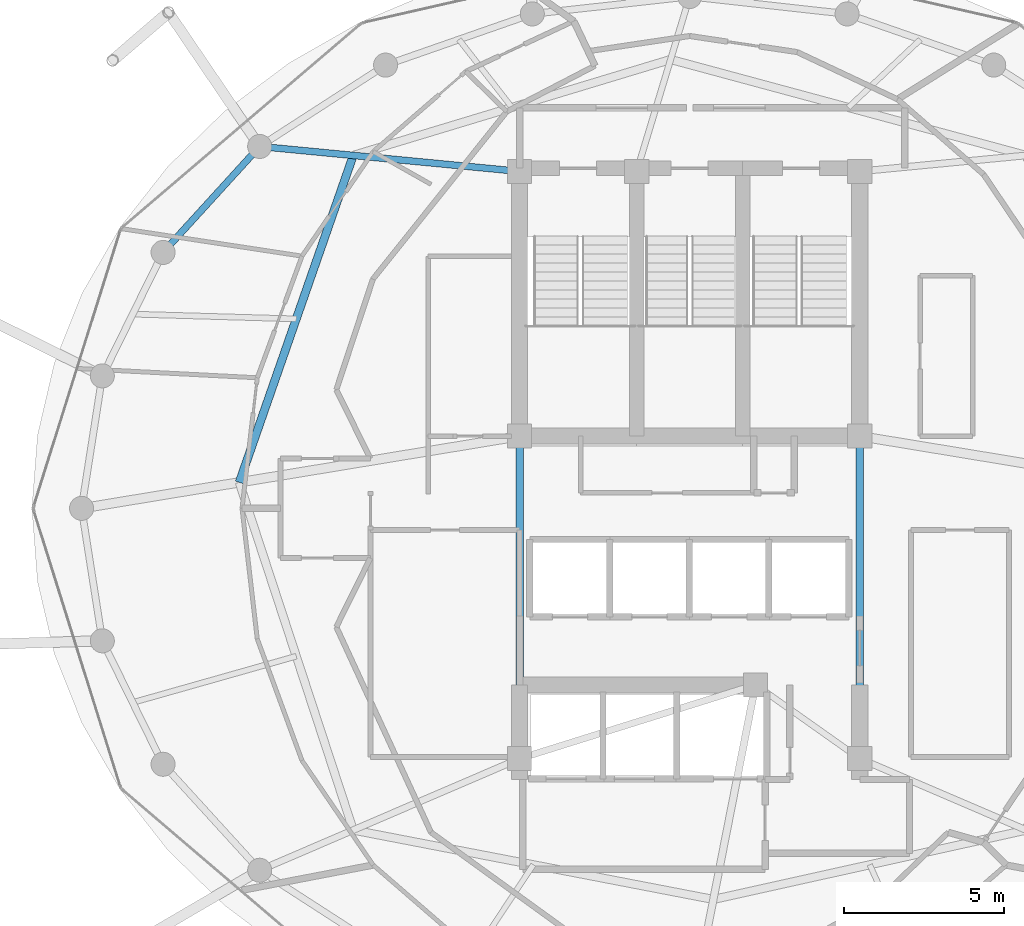
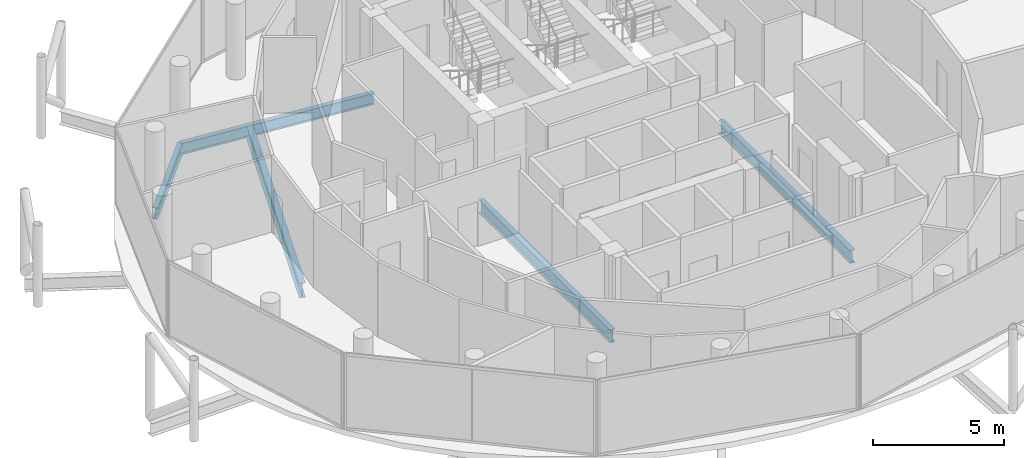
# One storey, part 8 of 24: 5 beams.
"""IFC4 building model written with IfcOpenShell, lengths in metres."""

from ifc_helpers import new_model, si_unit, direction, frame, origin, origin_2d, place, context, subcontext, project, spatial, i_section, extrude, material, material_profile, profile_set, type_object, element, save


model = new_model("IFC4")

# Units and contexts
model_context = context("Model", 3, precision=1e-05, world=origin(), true_north=direction((0.0, 1.0)))
body_context = subcontext(model_context, "Body", "Model", "MODEL_VIEW")
ifc_project = project(units=[si_unit("LENGTHUNIT", "METRE"), si_unit("AREAUNIT", "SQUARE_METRE"), si_unit("VOLUMEUNIT", "CUBIC_METRE"), si_unit("PLANEANGLEUNIT", "RADIAN"), si_unit("MASSUNIT", "GRAM", prefix="KILO")], contexts=[model_context])

# Site, building, storey
site_placement = place(None, origin())
site = spatial("IfcSite", under=ifc_project, at=site_placement, CompositionType="ELEMENT")
building_placement = place(site_placement, origin())
building = spatial("IfcBuilding", under=site, at=building_placement, Name="Nuhasar Tower", CompositionType="ELEMENT")
storey_placement = place(building_placement, frame((0.0, 0.0, 282.199951171875)))
storey = spatial("IfcBuildingStorey", under=building, at=storey_placement, Name="L70", CompositionType="ELEMENT", Elevation=282.199951171875)

# Beams
ifc_material = material(Name="Steel S355", Category="steel")
ifc_material_profile_1 = material_profile(ifc_material, i_section(OverallWidth=0.25390625, OverallDepth=0.68408203125, WebThickness=0.012451171875, FlangeThickness=0.018798828125, at=origin_2d()), Name="W27X94")
ifc_profile_set_1 = profile_set([ifc_material_profile_1], Name="Steel S355")
beam_type_1 = type_object("IfcBeamType", Name="BM-INRING-W27X94", PredefinedType="BEAM", material=ifc_profile_set_1)
beam_1_placement = place(storey_placement, frame((28.51611328125, 37.798095703125, -0.60205078125), z_axis=(-0.329211236979, -0.944256300718, 0.0), x_axis=(0.944256300718, -0.329211236979, 0.0)))
element("IfcBeam", 1, at=beam_1_placement, inside=storey, type_object=beam_type_1, Name="L70 Inner Header Beam 07", PredefinedType="BEAM", context=body_context, shape_type="SweptSolid", body=[
    extrude(i_section(OverallWidth=0.25390625, OverallDepth=0.68408203125, WebThickness=0.012451171875, FlangeThickness=0.018798828125, at=origin_2d()), origin(), (0.0, 0.0, 1.0), 10.78955078125),
])
ifc_material_profile_2 = material_profile(ifc_material, i_section(OverallWidth=0.208984375, OverallDepth=0.528076171875, WebThickness=0.009521484375, FlangeThickness=0.01318359375, at=origin_2d()), Name="W21X55")
ifc_profile_set_2 = profile_set([ifc_material_profile_2], Name="Steel S355")
beam_type_2 = type_object("IfcBeamType", Name="BM-RAD-W21X55", PredefinedType="BEAM", material=ifc_profile_set_2)
beam_2_placement = place(storey_placement, frame((33.699951171875, 37.300048828125, -0.52392578125), z_axis=(-0.99542073054, 0.095590633496, 0.0), x_axis=(-0.095590633496, -0.99542073054, 0.0)))
element("IfcBeam", 2, at=beam_2_placement, inside=storey, type_object=beam_type_2, Name="L70 Radial Floor Girder 07", PredefinedType="BEAM", context=body_context, shape_type="SweptSolid", body=[
    extrude(i_section(OverallWidth=0.208984375, OverallDepth=0.528076171875, WebThickness=0.009521484375, FlangeThickness=0.01318359375, at=origin_2d()), origin(), (0.0, 0.0, 1.0), 8.13720703125),
])
ifc_material_profile_3 = material_profile(ifc_material, i_section(OverallWidth=0.22900390625, OverallDepth=0.612060546875, WebThickness=0.011962890625, FlangeThickness=0.01953125, at=origin_2d()), Name="W24X84")
ifc_profile_set_3 = profile_set([ifc_material_profile_3], Name="Steel S355")
beam_type_3 = type_object("IfcBeamType", Name="BM-RAD-W24X84", PredefinedType="BEAM", material=ifc_profile_set_3)
for number, where, z_axis, x_axis, name in (
    (3, (44.300048828125, 19.0, -0.56591796875), (0.0, 1.0, 0.0), (-1.0, 0.0, 0.0), "L70 Core Ring Girder 3"),
    (4, (33.699951171875, 29.050048828125, -0.56591796875), (0.0, -1.0, 0.0), (1.0, 0.0, 0.0), "L70 Core Ring Girder 8"),
):
    element("IfcBeam", number, at=place(storey_placement, frame(where, z_axis=z_axis, x_axis=x_axis)), inside=storey, type_object=beam_type_3, Name=name, PredefinedType="BEAM", context=body_context, shape_type="SweptSolid", body=[
        extrude(i_section(OverallWidth=0.22900390625, OverallDepth=0.612060546875, WebThickness=0.011962890625, FlangeThickness=0.01953125, at=origin_2d()), origin(), (0.0, 0.0, 1.0), 10.050048828125),
    ])
ifc_material_profile_4 = material_profile(ifc_material, i_section(OverallWidth=0.2099609375, OverallDepth=0.537109375, WebThickness=0.010986328125, FlangeThickness=0.017333984375, at=origin_2d()), Name="W21X68")
ifc_profile_set_4 = profile_set([ifc_material_profile_4], Name="Steel S355")
beam_type_4 = type_object("IfcBeamType", Name="BM-RING-W21X68", PredefinedType="SPANDREL", material=ifc_profile_set_4)
beam_3_placement = place(storey_placement, frame((25.60009765625, 38.077880859375, -0.529052734375), z_axis=(-0.673686302939, -0.739017432293, 0.0), x_axis=(0.739017432293, -0.673686302939, 0.0)))
element("IfcBeam", 5, at=beam_3_placement, inside=storey, type_object=beam_type_4, Name="L70 Perimeter Ring Spandrel 10", PredefinedType="SPANDREL", context=body_context, shape_type="SweptSolid", body=[
    extrude(i_section(OverallWidth=0.2099609375, OverallDepth=0.537109375, WebThickness=0.010986328125, FlangeThickness=0.017333984375, at=origin_2d()), origin(), (0.0, 0.0, 1.0), 4.469482421875),
])

save(model, "model.ifc")
